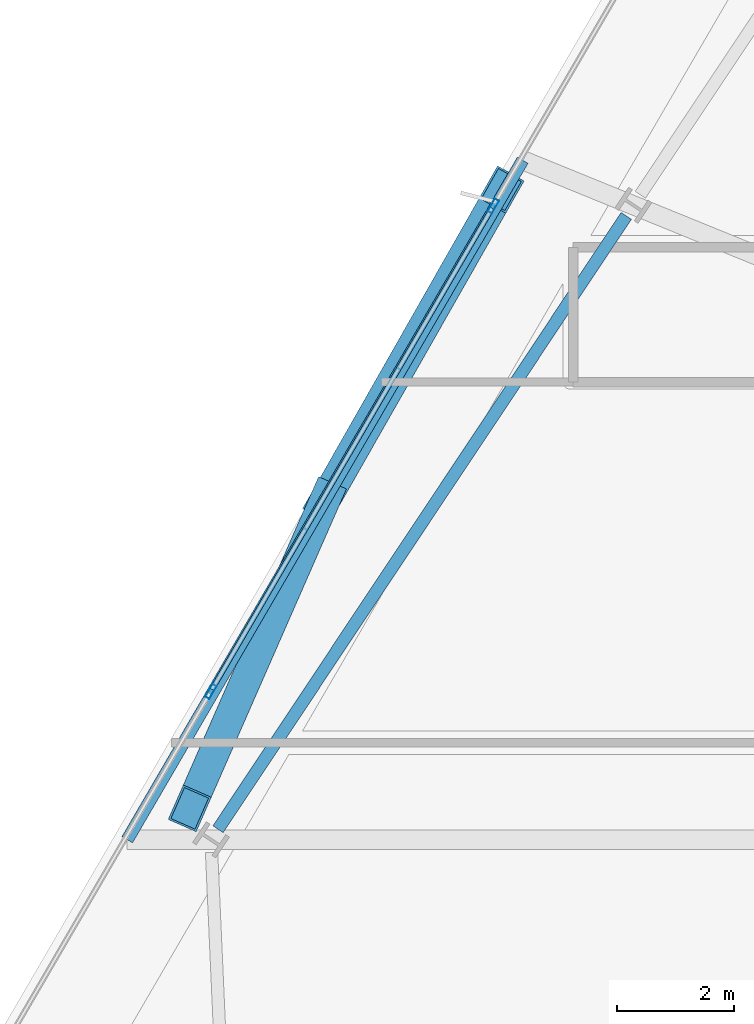
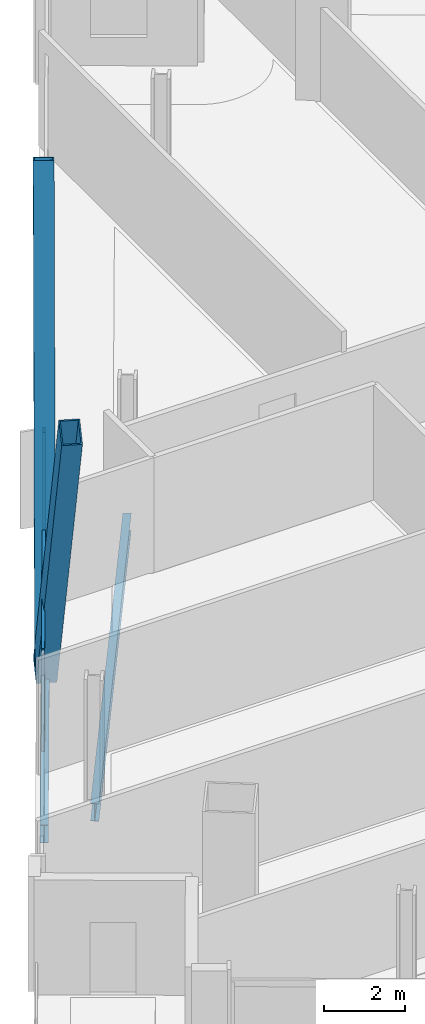
# One storey, part 13 of 29: 6 members, 2 beams, 1 element without a shape of its own.
"""IFC4 building model written with IfcOpenShell, lengths in metres."""

from ifc_helpers import new_model, si_unit, direction, frame, origin, origin_2d, place, context, subcontext, project, spatial, hollow_rectangle, i_section, extrude, material, material_profile, profile_set, type_object, element, aggregate, save


model = new_model("IFC4")

# Units and contexts
model_context = context("Model", 3, precision=1e-05, world=origin(), true_north=direction((0.0, 1.0)))
body_context = subcontext(model_context, "Body", "Model", "MODEL_VIEW")
ifc_project = project(units=[si_unit("LENGTHUNIT", "METRE"), si_unit("AREAUNIT", "SQUARE_METRE"), si_unit("VOLUMEUNIT", "CUBIC_METRE"), si_unit("PLANEANGLEUNIT", "RADIAN"), si_unit("MASSUNIT", "GRAM", prefix="KILO")], contexts=[model_context])

# Site, building, storey
site_placement = place(None, origin())
site = spatial("IfcSite", under=ifc_project, at=site_placement, CompositionType="ELEMENT")
building_placement = place(site_placement, origin())
building = spatial("IfcBuilding", under=site, at=building_placement, Name="Haldenkirk Collegiate Tower", CompositionType="ELEMENT")
storey_placement = place(building_placement, frame((0.0, 0.0, 228.449951171875)))
storey = spatial("IfcBuildingStorey", under=building, at=storey_placement, Name="L57", CompositionType="ELEMENT", Elevation=228.449951171875)

# Beams
ifc_material_1 = material(Name="Steel ASTM A992 Grade 50", Category="steel")
ifc_material_profile_1 = material_profile(ifc_material_1, i_section(OverallWidth=0.2099609375, OverallDepth=0.537109375, WebThickness=0.010986328125, FlangeThickness=0.017333984375, at=origin_2d()), Name="W21X68")
ifc_profile_set_1 = profile_set([ifc_material_profile_1], Name="Steel ASTM A992 Grade 50")
beam_type = type_object("IfcBeamType", Name="BM-SPANDREL-W21X68", PredefinedType="SPANDREL", material=ifc_profile_set_1)
beam_1_placement = place(storey_placement, frame((19.106201171875, 36.98486328125, -0.54833984375), z_axis=(-0.554117024454, -0.832438780458, 0.0), x_axis=(0.832438780458, -0.554117024454, 0.0)))
element("IfcBeam", 1, at=beam_1_placement, inside=storey, type_object=beam_type, Name="L57 perimeter spandrel beam 11", PredefinedType="SPANDREL", context=body_context, shape_type="SweptSolid", body=[
    extrude(i_section(OverallWidth=0.2099609375, OverallDepth=0.537109375, WebThickness=0.010986328125, FlangeThickness=0.017333984375, at=origin_2d()), origin(), (0.0, 0.0, 1.0), 12.562255859375),
])
beam_2_placement = place(storey_placement, frame((17.340087890625, 37.93359375, -0.54833984375), z_axis=(-0.503017013977, -0.864276508792, 0.0), x_axis=(0.864276508792, -0.503017013977, 0.0)))
element("IfcBeam", 2, at=beam_2_placement, inside=storey, type_object=beam_type, Name="L57 outer facade edge beam 3", PredefinedType="SPANDREL", context=body_context, shape_type="SweptSolid", body=[
    extrude(i_section(OverallWidth=0.2099609375, OverallDepth=0.537109375, WebThickness=0.010986328125, FlangeThickness=0.017333984375, at=origin_2d()), origin(), (0.0, 0.0, 1.0), 13.406005859375),
])

# Curtain wall, members
ifc_material_2 = material(Name="Anodised architectural bronze aluminium", Category="aluminium")
curtain_wall_type = type_object("IfcCurtainWallType", Name="CW-SYS1B-CONVEX-HI", PredefinedType="USERDEFINED", material=ifc_material_2)
curtain_wall_placement = place(storey_placement, origin())
curtain_wall = element("IfcCurtainWall", 3, at=curtain_wall_placement, inside=storey, type_object=curtain_wall_type, Name="L57 Upper tower high-wind convex bronze unitised curtain wall", ObjectType="UNITISED CURTAIN WALL", PredefinedType="USERDEFINED")
ifc_material_profile_2 = material_profile(ifc_material_2, hollow_rectangle(XDim=0.0849609375, YDim=0.25, WallThickness=0.0048828125, at=origin_2d()), Name="CW-MUL-1B")
ifc_profile_set_2 = profile_set([ifc_material_profile_2], Name="Anodised architectural bronze aluminium")
member_type_1 = type_object("IfcMemberType", Name="CW-MUL-1B", PredefinedType="MULLION", material=ifc_profile_set_2)
member_1_placement = place(storey_placement, frame((12.022705078125, 28.87646484375, 0.0), z_axis=(0.0, 0.0, 1.0), x_axis=(-0.864274888861, 0.503019797309, 0.0)))
member_1 = element("IfcMember", 4, at=member_1_placement, type_object=member_type_1, Name="CW-1B mullion 2", PredefinedType="MULLION", context=body_context, shape_type="SweptSolid", body=[
    extrude(hollow_rectangle(XDim=0.0849609375, YDim=0.25, WallThickness=0.0048828125, at=origin_2d()), origin(), (0.0, 0.0, 1.0), 2.927978515625),
])
member_2_placement = place(storey_placement, frame((16.839111328125, 37.152099609375, 0.0), z_axis=(0.0, 0.0, 1.0), x_axis=(-0.864274888861, 0.503019797309, 0.0)))
member_2 = element("IfcMember", 5, at=member_2_placement, type_object=member_type_1, Name="CW-1B mullion 3", PredefinedType="MULLION", context=body_context, shape_type="SweptSolid", body=[
    extrude(hollow_rectangle(XDim=0.0849609375, YDim=0.25, WallThickness=0.0048828125, at=origin_2d()), origin(), (0.0, 0.0, 1.0), 2.927978515625),
])
ifc_material_profile_3 = material_profile(ifc_material_2, hollow_rectangle(XDim=0.0849609375, YDim=0.199951171875, WallThickness=0.0048828125, at=origin_2d()), Name="CW-TRN-1B")
ifc_profile_set_3 = profile_set([ifc_material_profile_3], Name="Anodised architectural bronze aluminium")
member_type_2 = type_object("IfcMemberType", Name="CW-TRN-1B", PredefinedType="USERDEFINED", material=ifc_profile_set_3)
member_3_placement = place(storey_placement, frame((12.0439453125, 28.913330078125, 0.04248046875), z_axis=(0.503024617996, 0.864272083137, 0.0), x_axis=(-0.864272083137, 0.503024617996, 0.0)))
member_3 = element("IfcMember", 6, at=member_3_placement, type_object=member_type_2, Name="CW-1B transom 2.1", ObjectType="TRANSOM", PredefinedType="USERDEFINED", context=body_context, shape_type="SweptSolid", body=[
    extrude(hollow_rectangle(XDim=0.0849609375, YDim=0.199951171875, WallThickness=0.0048828125, at=origin_2d()), origin(), (0.0, 0.0, 1.0), 9.489990234375),
])
member_4_placement = place(storey_placement, frame((12.0439453125, 28.913330078125, 2.885498046875), z_axis=(0.503024617996, 0.864272083137, 0.0), x_axis=(-0.864272083137, 0.503024617996, 0.0)))
member_4 = element("IfcMember", 7, at=member_4_placement, type_object=member_type_2, Name="CW-1B transom 2.2", ObjectType="TRANSOM", PredefinedType="USERDEFINED", context=body_context, shape_type="SweptSolid", body=[
    extrude(hollow_rectangle(XDim=0.0849609375, YDim=0.199951171875, WallThickness=0.0048828125, at=origin_2d()), origin(), (0.0, 0.0, 1.0), 9.489990234375),
])
aggregate(curtain_wall, [member_1, member_2, member_3, member_4])

# Members
ifc_material_3 = material(Name="Steel ASTM A572 Grade 50", Category="steel")
ifc_material_profile_4 = material_profile(ifc_material_3, hollow_rectangle(XDim=0.52001953125, YDim=0.719970703125, WallThickness=0.035888671875, at=origin_2d()), Name="BOX720X520X36")
ifc_profile_set_4 = profile_set([ifc_material_profile_4], Name="Steel ASTM A572 Grade 50")
member_type_3 = type_object("IfcMemberType", Name="MBR-MEGABRACE-BOX720X520X36", PredefinedType="BRACE", material=ifc_profile_set_4)
member_5_placement = place(storey_placement, frame((13.968505859375, 32.140380859375, -0.2900390625), z_axis=(0.23661154101, 0.415791234599, 0.878141576223), x_axis=(-0.869127292863, 0.49458846408, 0.0)))
element("IfcMember", 8, at=member_5_placement, inside=storey, type_object=member_type_3, Name="Perimeter Mega Brace Z4 L57-L59 NL", PredefinedType="BRACE", context=body_context, shape_type="SweptSolid", body=[
    extrude(hollow_rectangle(XDim=0.52001953125, YDim=0.719970703125, WallThickness=0.035888671875, at=origin_2d()), origin(), (0.0, 0.0, 1.0), 12.731689453125),
])
member_6_placement = place(storey_placement, frame((13.968505859375, 32.140380859375, -0.2900390625), z_axis=(-0.183455234602, -0.418329995463, 0.88957528731), x_axis=(0.91580659497, -0.401619571994, 0.0)))
element("IfcMember", 9, at=member_6_placement, inside=storey, type_object=member_type_3, Name="Perimeter Mega Brace Z4 L57-L59 NR", PredefinedType="BRACE", context=body_context, shape_type="SweptSolid", body=[
    extrude(hollow_rectangle(XDim=0.52001953125, YDim=0.719970703125, WallThickness=0.035888671875, at=origin_2d()), origin(), (0.0, 0.0, 1.0), 12.56787109375),
])

save(model, "model.ifc")
